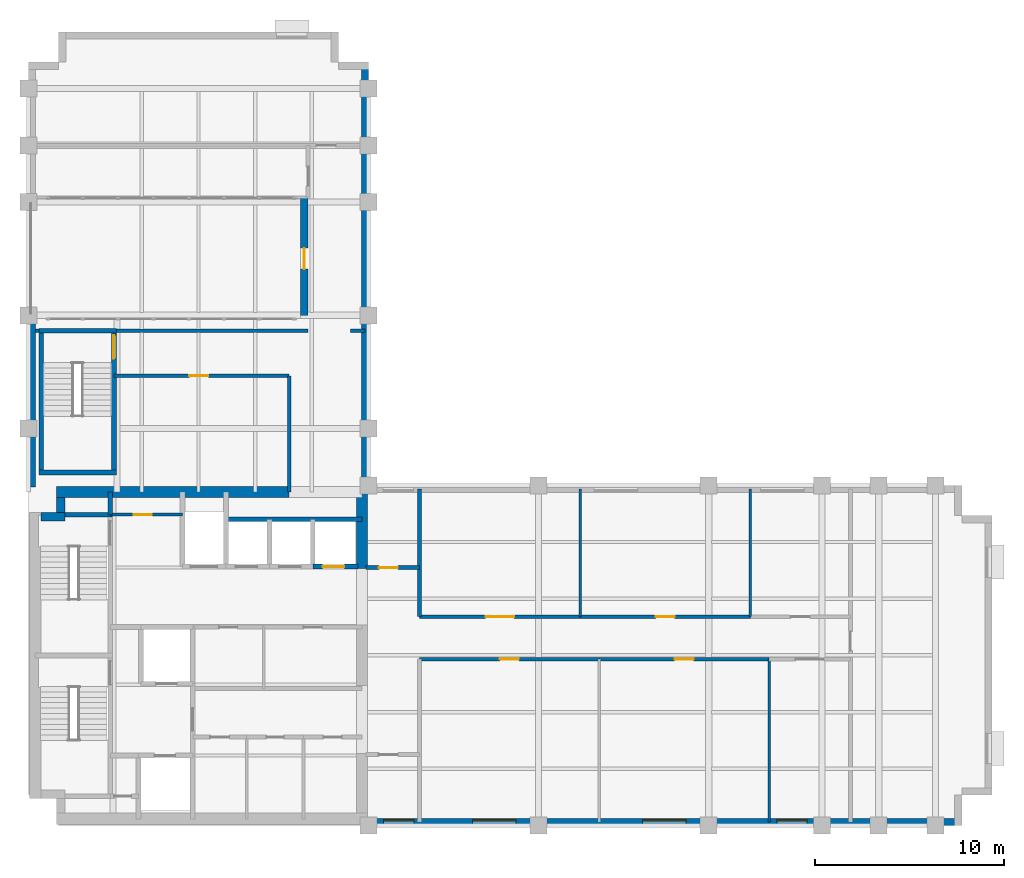
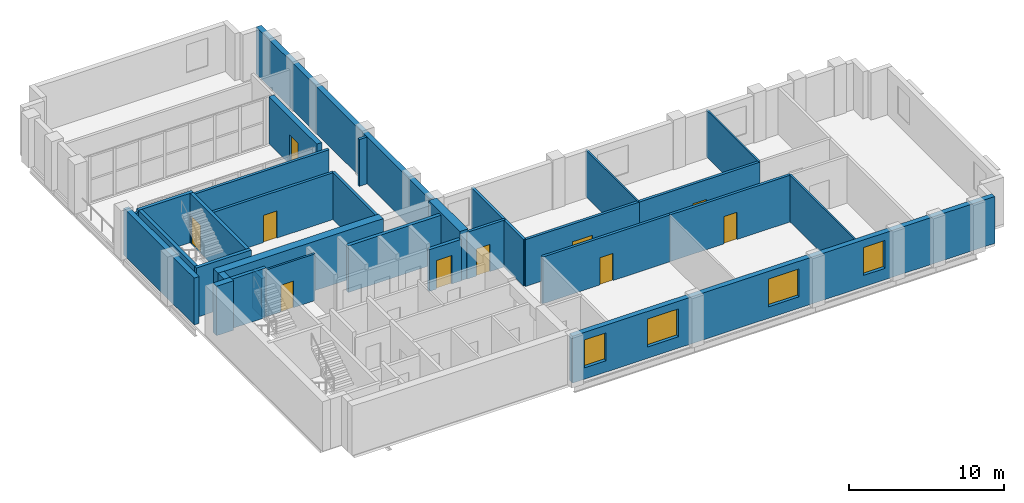
# One storey, part 9 of 11: 31 walls, 10 doors, 4 windows, 14 openings.
"""IFC4 building model written with IfcOpenShell, lengths in metres."""

from ifc_helpers import new_model, si_unit, direction, frame, frame_2d, origin, place, context, subcontext, project, spatial, rectangle, extrude, material, layer, layer_set, type_object, element, fill, save


model = new_model("IFC4")

# Units and contexts
model_context = context("Model", 3, precision=1e-05, world=origin(), true_north=direction((0.0, 1.0)))
body_context = subcontext(model_context, "Body", "Model", "MODEL_VIEW")
ifc_project = project(units=[si_unit("LENGTHUNIT", "METRE"), si_unit("AREAUNIT", "SQUARE_METRE"), si_unit("VOLUMEUNIT", "CUBIC_METRE"), si_unit("PLANEANGLEUNIT", "RADIAN"), si_unit("MASSUNIT", "GRAM", prefix="KILO")], contexts=[model_context])

# Site, building, storey
site_placement = place(None, origin())
site = spatial("IfcSite", under=ifc_project, at=site_placement, CompositionType="ELEMENT")
building_placement = place(site_placement, origin())
building = spatial("IfcBuilding", under=site, at=building_placement, Name="Mawjdan Bourse Tower", CompositionType="ELEMENT")
storey_placement = place(building_placement, frame((0.0, 0.0, 191.699951171875)))
storey = spatial("IfcBuildingStorey", under=building, at=storey_placement, Name="L46", CompositionType="ELEMENT", Elevation=191.699951171875)

# Wall, openings, windows
ifc_material_1 = material(Name="Brick Masonry Terracotta Red", Category="masonry")
ifc_layer_1 = layer(ifc_material_1, 0.3798828125)
ifc_layer_set_1 = layer_set([ifc_layer_1], Name="Brick Masonry Terracotta Red")
wall_type_1 = type_object("IfcWallType", Name="WL-BRK-RED-380", PredefinedType="STANDARD", material=ifc_layer_set_1)
wall_1_placement = place(storey_placement, frame((23.89990234375, 3.18994140625, 0.0), z_axis=(0.0, 0.0, 1.0), x_axis=(1.0, 0.0, 0.0)))
wall_1 = element("IfcWall", 1, at=wall_1_placement, inside=storey, type_object=wall_type_1, Name="L46 Exterior Brick Wall 1", PredefinedType="STANDARD", context=body_context, shape_type="SweptSolid", body=[
    extrude(rectangle(XDim=31.5, YDim=0.3798828125, at=frame_2d((15.75, 0.0))), origin(), (0.0, 0.0, 1.0), 3.699951171875),
])
opening_1_placement = place(wall_1_placement, frame((5.60009765625, 0.0, 0.89990234375)))
opening_1 = element("IfcOpeningElement", 2, at=opening_1_placement, cuts=wall_1, Name="Opening W-L46-01", PredefinedType="OPENING", context=body_context, shape_type="SweptSolid", body=[
    extrude(rectangle(XDim=2.300048828125, YDim=2.199951171875, at=frame_2d((1.14990234375, 1.10009765625))), frame((0.0, 0.199951171875, 0.0), z_axis=(0.0, -1.0, 0.0), x_axis=(1.0, 0.0, 0.0)), (0.0, 0.0, 1.0), 0.39990234375),
])
opening_2_placement = place(wall_1_placement, frame((14.60009765625, 0.0, 0.89990234375)))
opening_2 = element("IfcOpeningElement", 3, at=opening_2_placement, cuts=wall_1, Name="Opening W-L46-02", PredefinedType="OPENING", context=body_context, shape_type="SweptSolid", body=[
    extrude(rectangle(XDim=2.300048828125, YDim=2.199951171875, at=frame_2d((1.14990234375, 1.10009765625))), frame((0.0, 0.199951171875, 0.0), z_axis=(0.0, -1.0, 0.0), x_axis=(1.0, 0.0, 0.0)), (0.0, 0.0, 1.0), 0.39990234375),
])
opening_3_placement = place(wall_1_placement, frame((0.89990234375, 0.0, 0.89990234375)))
opening_3 = element("IfcOpeningElement", 4, at=opening_3_placement, cuts=wall_1, Name="Opening W-L46-07", PredefinedType="OPENING", context=body_context, shape_type="SweptSolid", body=[
    extrude(rectangle(XDim=1.60009765625, YDim=2.199951171875, at=frame_2d((0.800048828125, 1.10009765625))), frame((0.0, 0.199951171875, 0.0), z_axis=(0.0, -1.0, 0.0), x_axis=(1.0, 0.0, 0.0)), (0.0, 0.0, 1.0), 0.39990234375),
])
opening_4_placement = place(wall_1_placement, frame((21.704345703125, 0.0, 0.89990234375)))
opening_4 = element("IfcOpeningElement", 5, at=opening_4_placement, cuts=wall_1, Name="Opening W-L46-09", PredefinedType="OPENING", context=body_context, shape_type="SweptSolid", body=[
    extrude(rectangle(XDim=1.60009765625, YDim=2.199951171875, at=frame_2d((0.800048828125, 1.10009765625))), frame((0.0, 0.199951171875, 0.0), z_axis=(0.0, -1.0, 0.0), x_axis=(1.0, 0.0, 0.0)), (0.0, 0.0, 1.0), 0.39990234375),
])
ifc_material_2 = material(Name="Solar-Control Clear Double Glazing", Category="glass")
window_type_1 = type_object("IfcWindowType", Name="WN-Z3-1600", PartitioningType="SINGLE_PANEL", PredefinedType="WINDOW", material=ifc_material_2)
window_1_placement = place(opening_3_placement, origin())
window_1 = element("IfcWindow", 6, at=window_1_placement, inside=storey, type_object=window_type_1, Name="L46 Deep-Set Masonry Window W-L46-07", OverallHeight=2.199951171875, OverallWidth=1.60009765625, PartitioningType="SINGLE_PANEL", PredefinedType="WINDOW", context=body_context, shape_type="SweptSolid", body=[
    extrude(rectangle(XDim=1.60009765625, YDim=2.199951171875, at=frame_2d((0.800048828125, 1.10009765625))), frame((0.0, 0.110107421875, 0.0), z_axis=(0.0, -1.0, 0.0), x_axis=(1.0, 0.0, 0.0)), (0.0, 0.0, 1.0), 0.06005859375),
])
fill(opening_3, window_1)
window_2_placement = place(opening_4_placement, origin())
window_2 = element("IfcWindow", 7, at=window_2_placement, inside=storey, type_object=window_type_1, Name="L46 Deep-Set Masonry Window W-L46-09", OverallHeight=2.199951171875, OverallWidth=1.60009765625, PartitioningType="SINGLE_PANEL", PredefinedType="WINDOW", context=body_context, shape_type="SweptSolid", body=[
    extrude(rectangle(XDim=1.60009765625, YDim=2.199951171875, at=frame_2d((0.800048828125, 1.10009765625))), frame((0.0, 0.110107421875, 0.0), z_axis=(0.0, -1.0, 0.0), x_axis=(1.0, 0.0, 0.0)), (0.0, 0.0, 1.0), 0.06005859375),
])
fill(opening_4, window_2)
window_type_2 = type_object("IfcWindowType", Name="WN-Z3-2300", PartitioningType="SINGLE_PANEL", PredefinedType="WINDOW", material=ifc_material_2)
window_3_placement = place(opening_1_placement, origin())
window_3 = element("IfcWindow", 8, at=window_3_placement, inside=storey, type_object=window_type_2, Name="L46 Deep-Set Masonry Window W-L46-01", OverallHeight=2.199951171875, OverallWidth=2.300048828125, PartitioningType="SINGLE_PANEL", PredefinedType="WINDOW", context=body_context, shape_type="SweptSolid", body=[
    extrude(rectangle(XDim=2.300048828125, YDim=2.199951171875, at=frame_2d((1.14990234375, 1.10009765625))), frame((0.0, 0.110107421875, 0.0), z_axis=(0.0, -1.0, 0.0), x_axis=(1.0, 0.0, 0.0)), (0.0, 0.0, 1.0), 0.06005859375),
])
fill(opening_1, window_3)
window_4_placement = place(opening_2_placement, origin())
window_4 = element("IfcWindow", 9, at=window_4_placement, inside=storey, type_object=window_type_2, Name="L46 Deep-Set Masonry Window W-L46-02", OverallHeight=2.199951171875, OverallWidth=2.300048828125, PartitioningType="SINGLE_PANEL", PredefinedType="WINDOW", context=body_context, shape_type="SweptSolid", body=[
    extrude(rectangle(XDim=2.300048828125, YDim=2.199951171875, at=frame_2d((1.14990234375, 1.10009765625))), frame((0.0, 0.110107421875, 0.0), z_axis=(0.0, -1.0, 0.0), x_axis=(1.0, 0.0, 0.0)), (0.0, 0.0, 1.0), 0.06005859375),
])
fill(opening_2, window_4)

# Wall
wall_2_placement = place(storey_placement, frame((23.81005859375, 21.0, 0.0), z_axis=(0.0, 0.0, 1.0), x_axis=(0.0, 1.0, 0.0)))
element("IfcWall", 10, at=wall_2_placement, inside=storey, type_object=wall_type_1, Name="L46 Exterior Brick Wall 8", PredefinedType="STANDARD", context=body_context, shape_type="SweptSolid", body=[
    extrude(rectangle(XDim=22.39990234375, YDim=0.3798828125, at=frame_2d((11.199951171875, 0.0))), origin(), (0.0, 0.0, 1.0), 3.699951171875),
])

# Wall, opening, door
wall_3_placement = place(storey_placement, frame((20.590087890625, 36.199951171875, 0.0), z_axis=(0.0, 0.0, 1.0), x_axis=(0.0, -1.0, 0.0)))
wall_3 = element("IfcWall", 11, at=wall_3_placement, inside=storey, type_object=wall_type_1, Name="L46 Exterior Brick Wall 16", PredefinedType="STANDARD", context=body_context, shape_type="SweptSolid", body=[
    extrude(rectangle(XDim=6.199951171875, YDim=0.3798828125, at=frame_2d((3.10009765625, 0.0))), origin(), (0.0, 0.0, 1.0), 3.699951171875),
])
opening_5_placement = place(wall_3_placement, frame((2.64990234375, 0.0, 0.0)))
opening_5 = element("IfcOpeningElement", 12, at=opening_5_placement, cuts=wall_3, Name="Opening TD-L46-01", PredefinedType="OPENING", context=body_context, shape_type="SweptSolid", body=[
    extrude(rectangle(XDim=1.10009765625, YDim=2.300048828125, at=frame_2d((0.550048828125, 1.14990234375))), frame((0.0, 0.199951171875, 0.0), z_axis=(0.0, -1.0, 0.0), x_axis=(1.0, 0.0, 0.0)), (0.0, 0.0, 1.0), 0.39990234375),
])
ifc_material_3 = material(Name="Thermally Broken Glazed Aluminium", Category="aluminium")
door_type_1 = type_object("IfcDoorType", Name="DR-TER-1100", OperationType="NOTDEFINED", PredefinedType="DOOR", material=ifc_material_3)
door_1_placement = place(opening_5_placement, frame((1.10009765625, 0.0, 0.0), z_axis=(0.0, 0.0, 1.0), x_axis=(-1.0, 0.0, 0.0)))
door_1 = element("IfcDoor", 13, at=door_1_placement, inside=storey, type_object=door_type_1, Name="L46 North Void Portal Sky Deck Door", OperationType="SINGLE_SWING_LEFT", OverallHeight=2.300048828125, OverallWidth=1.10009765625, PredefinedType="DOOR", context=body_context, shape_type="SweptSolid", body=[
    extrude(rectangle(XDim=1.10009765625, YDim=2.300048828125, at=frame_2d((0.550048828125, 1.14990234375))), frame((0.0, 0.02490234375, 0.0), z_axis=(0.0, -1.0, 0.0), x_axis=(1.0, 0.0, 0.0)), (0.0, 0.0, 1.0), 0.050048828125),
])
fill(opening_5, door_1)

# Wall
wall_4_placement = place(storey_placement, frame((6.18994140625, 30.0, 0.0), z_axis=(0.0, 0.0, 1.0), x_axis=(0.0, -1.0, 0.0)))
element("IfcWall", 14, at=wall_4_placement, inside=storey, type_object=wall_type_1, Name="L46 Exterior Brick Wall 18", PredefinedType="STANDARD", context=body_context, shape_type="SweptSolid", body=[
    extrude(rectangle(XDim=9.10009765625, YDim=0.3798828125, at=frame_2d((4.550048828125, 0.0))), origin(), (0.0, 0.0, 1.0), 3.699951171875),
])

# Wall, opening, door
ifc_material_4 = material(Name="Gypsum Fireboard Assembly")
ifc_layer_2 = layer(ifc_material_4, 0.199951171875)
ifc_layer_set_2 = layer_set([ifc_layer_2], Name="Gypsum Fireboard Assembly")
wall_type_2 = type_object("IfcWallType", Name="WL-CMP-200", PredefinedType="PARTITIONING", material=ifc_layer_set_2)
wall_5_placement = place(storey_placement, frame((23.85009765625, 16.64990234375, 0.0), z_axis=(0.0, 0.0, 1.0), x_axis=(1.0, 0.0, 0.0)))
wall_5 = element("IfcWall", 15, at=wall_5_placement, inside=storey, type_object=wall_type_2, Name="L46 West North Pocket Wall", PredefinedType="PARTITIONING", context=body_context, shape_type="SweptSolid", body=[
    extrude(rectangle(XDim=2.849853515625, YDim=0.199951171875, at=frame_2d((1.4248046875, 0.0))), origin(), (0.0, 0.0, 1.0), 3.68994140625),
])
opening_6_placement = place(wall_5_placement, frame((0.699951171875, 0.0, 0.0)))
opening_6 = element("IfcOpeningElement", 16, at=opening_6_placement, cuts=wall_5, Name="Opening D-L46-21", PredefinedType="OPENING", context=body_context, shape_type="SweptSolid", body=[
    extrude(rectangle(XDim=1.0, YDim=2.14990234375, at=frame_2d((0.5, 1.074951171875))), frame((0.0, 0.10986328125, 0.0), z_axis=(0.0, -1.0, 0.0), x_axis=(1.0, 0.0, 0.0)), (0.0, 0.0, 1.0), 0.219970703125),
])
ifc_material_5 = material(Name="Hardwood Acoustic Leaf", Category="wood")
door_type_2 = type_object("IfcDoorType", Name="DR-OFC-1000", OperationType="NOTDEFINED", PredefinedType="DOOR", material=ifc_material_5)
door_2_placement = place(opening_6_placement, origin())
door_2 = element("IfcDoor", 17, at=door_2_placement, inside=storey, type_object=door_type_2, Name="L46 West North Pocket Door D-L46-21", OperationType="SINGLE_SWING_LEFT", OverallHeight=2.14990234375, OverallWidth=1.0, PredefinedType="DOOR", context=body_context, shape_type="SweptSolid", body=[
    extrude(rectangle(XDim=1.0, YDim=2.14990234375, at=frame_2d((0.5, 1.074951171875))), frame((0.0, 0.02490234375, 0.0), z_axis=(0.0, -1.0, 0.0), x_axis=(1.0, 0.0, 0.0)), (0.0, 0.0, 1.0), 0.050048828125),
])
fill(opening_6, door_2)

# Wall
wall_6_placement = place(storey_placement, frame((26.699951171875, 14.050048828125, 0.0), z_axis=(0.0, 0.0, 1.0), x_axis=(0.0, 1.0, 0.0)))
element("IfcWall", 18, at=wall_6_placement, inside=storey, type_object=wall_type_2, Name="L46 Vestibule North East Wall", PredefinedType="PARTITIONING", context=body_context, shape_type="SweptSolid", body=[
    extrude(rectangle(XDim=6.77001953125, YDim=0.199951171875, at=frame_2d((3.385009765625, 0.0))), origin(), (0.0, 0.0, 1.0), 3.68994140625),
])

# Wall, opening, door
wall_7_placement = place(storey_placement, frame((26.699951171875, 11.800048828125, 0.0), z_axis=(0.0, 0.0, 1.0), x_axis=(1.0, 0.0, 0.0)))
wall_7 = element("IfcWall", 19, at=wall_7_placement, inside=storey, type_object=wall_type_2, Name="L46 North Portal Observatory Lounge Corridor Wall", PredefinedType="PARTITIONING", context=body_context, shape_type="SweptSolid", body=[
    extrude(rectangle(XDim=9.5, YDim=0.199951171875, at=frame_2d((4.75, 0.0))), origin(), (0.0, 0.0, 1.0), 3.68994140625),
])
opening_7_placement = place(wall_7_placement, frame((4.25, 0.0, 0.0)))
opening_7 = element("IfcOpeningElement", 20, at=opening_7_placement, cuts=wall_7, Name="Opening D-L46-22", PredefinedType="OPENING", context=body_context, shape_type="SweptSolid", body=[
    extrude(rectangle(XDim=1.0, YDim=2.14990234375, at=frame_2d((0.5, 1.074951171875))), frame((0.0, 0.10986328125, 0.0), z_axis=(0.0, -1.0, 0.0), x_axis=(1.0, 0.0, 0.0)), (0.0, 0.0, 1.0), 0.219970703125),
])
door_3_placement = place(opening_7_placement, origin())
door_3 = element("IfcDoor", 21, at=door_3_placement, inside=storey, type_object=door_type_2, Name="L46 North Portal Observatory Lounge Door D-L46-22", OperationType="SINGLE_SWING_RIGHT", OverallHeight=2.14990234375, OverallWidth=1.0, PredefinedType="DOOR", context=body_context, shape_type="SweptSolid", body=[
    extrude(rectangle(XDim=1.0, YDim=2.14990234375, at=frame_2d((0.5, 1.074951171875))), frame((0.0, 0.02490234375, 0.0), z_axis=(0.0, -1.0, 0.0), x_axis=(1.0, 0.0, 0.0)), (0.0, 0.0, 1.0), 0.050048828125),
])
fill(opening_7, door_3)

wall_8_placement = place(storey_placement, frame((36.199951171875, 11.800048828125, 0.0), z_axis=(0.0, 0.0, 1.0), x_axis=(1.0, 0.0, 0.0)))
wall_8 = element("IfcWall", 22, at=wall_8_placement, inside=storey, type_object=wall_type_2, Name="L46 Executive Office Corridor Wall", PredefinedType="PARTITIONING", context=body_context, shape_type="SweptSolid", body=[
    extrude(rectangle(XDim=9.0, YDim=0.199951171875, at=frame_2d((4.5, 0.0))), origin(), (0.0, 0.0, 1.0), 3.68994140625),
])
opening_8_placement = place(wall_8_placement, frame((4.0, 0.0, 0.0)))
opening_8 = element("IfcOpeningElement", 23, at=opening_8_placement, cuts=wall_8, Name="Opening D-L46-23", PredefinedType="OPENING", context=body_context, shape_type="SweptSolid", body=[
    extrude(rectangle(XDim=1.0, YDim=2.14990234375, at=frame_2d((0.5, 1.074951171875))), frame((0.0, 0.10986328125, 0.0), z_axis=(0.0, -1.0, 0.0), x_axis=(1.0, 0.0, 0.0)), (0.0, 0.0, 1.0), 0.219970703125),
])
door_4_placement = place(opening_8_placement, origin())
door_4 = element("IfcDoor", 24, at=door_4_placement, inside=storey, type_object=door_type_2, Name="L46 Executive Office Door D-L46-23", OperationType="SINGLE_SWING_LEFT", OverallHeight=2.14990234375, OverallWidth=1.0, PredefinedType="DOOR", context=body_context, shape_type="SweptSolid", body=[
    extrude(rectangle(XDim=1.0, YDim=2.14990234375, at=frame_2d((0.5, 1.074951171875))), frame((0.0, 0.02490234375, 0.0), z_axis=(0.0, -1.0, 0.0), x_axis=(1.0, 0.0, 0.0)), (0.0, 0.0, 1.0), 0.050048828125),
])
fill(opening_8, door_4)

wall_9_placement = place(storey_placement, frame((26.699951171875, 14.050048828125, 0.0), z_axis=(0.0, 0.0, 1.0), x_axis=(1.0, 0.0, 0.0)))
wall_9 = element("IfcWall", 25, at=wall_9_placement, inside=storey, type_object=wall_type_2, Name="L46 Conference Room Corridor Wall", PredefinedType="PARTITIONING", context=body_context, shape_type="SweptSolid", body=[
    extrude(rectangle(XDim=8.5, YDim=0.199951171875, at=frame_2d((4.25, 0.0))), origin(), (0.0, 0.0, 1.0), 3.68994140625),
])
opening_9_placement = place(wall_9_placement, frame((3.5, 0.0, 0.0)))
opening_9 = element("IfcOpeningElement", 26, at=opening_9_placement, cuts=wall_9, Name="Opening D-L46-25", PredefinedType="OPENING", context=body_context, shape_type="SweptSolid", body=[
    extrude(rectangle(XDim=1.5, YDim=2.300048828125, at=frame_2d((0.75, 1.14990234375))), frame((0.0, 0.10986328125, 0.0), z_axis=(0.0, -1.0, 0.0), x_axis=(1.0, 0.0, 0.0)), (0.0, 0.0, 1.0), 0.219970703125),
])
ifc_material_6 = material(Name="Acoustic Glazed Timber", Category="wood")
door_type_3 = type_object("IfcDoorType", Name="DR-CNF-1500", OperationType="DOUBLE_DOOR_SINGLE_SWING", PredefinedType="DOOR", material=ifc_material_6)
door_5_placement = place(opening_9_placement, origin())
door_5 = element("IfcDoor", 27, at=door_5_placement, inside=storey, type_object=door_type_3, Name="L46 Conference Room Door D-L46-25", OperationType="DOUBLE_DOOR_SINGLE_SWING", OverallHeight=2.300048828125, OverallWidth=1.5, PredefinedType="DOOR", context=body_context, shape_type="SweptSolid", body=[
    extrude(rectangle(XDim=1.5, YDim=2.300048828125, at=frame_2d((0.75, 1.14990234375))), frame((0.0, 0.02490234375, 0.0), z_axis=(0.0, -1.0, 0.0), x_axis=(1.0, 0.0, 0.0)), (0.0, 0.0, 1.0), 0.050048828125),
])
fill(opening_9, door_5)

wall_10_placement = place(storey_placement, frame((35.199951171875, 14.050048828125, 0.0), z_axis=(0.0, 0.0, 1.0), x_axis=(1.0, 0.0, 0.0)))
wall_10 = element("IfcWall", 28, at=wall_10_placement, inside=storey, type_object=wall_type_2, Name="L46 Sovereign Advisory Suite Corridor Wall", PredefinedType="PARTITIONING", context=body_context, shape_type="SweptSolid", body=[
    extrude(rectangle(XDim=9.0, YDim=0.199951171875, at=frame_2d((4.5, 0.0))), origin(), (0.0, 0.0, 1.0), 3.68994140625),
])
opening_10_placement = place(wall_10_placement, frame((4.0, 0.0, 0.0)))
opening_10 = element("IfcOpeningElement", 29, at=opening_10_placement, cuts=wall_10, Name="Opening D-L46-26", PredefinedType="OPENING", context=body_context, shape_type="SweptSolid", body=[
    extrude(rectangle(XDim=1.0, YDim=2.14990234375, at=frame_2d((0.5, 1.074951171875))), frame((0.0, 0.10986328125, 0.0), z_axis=(0.0, -1.0, 0.0), x_axis=(1.0, 0.0, 0.0)), (0.0, 0.0, 1.0), 0.219970703125),
])
door_6_placement = place(opening_10_placement, origin())
door_6 = element("IfcDoor", 30, at=door_6_placement, inside=storey, type_object=door_type_2, Name="L46 Sovereign Advisory Suite Door D-L46-26", OperationType="SINGLE_SWING_RIGHT", OverallHeight=2.14990234375, OverallWidth=1.0, PredefinedType="DOOR", context=body_context, shape_type="SweptSolid", body=[
    extrude(rectangle(XDim=1.0, YDim=2.14990234375, at=frame_2d((0.5, 1.074951171875))), frame((0.0, 0.02490234375, 0.0), z_axis=(0.0, -1.0, 0.0), x_axis=(1.0, 0.0, 0.0)), (0.0, 0.0, 1.0), 0.050048828125),
])
fill(opening_10, door_6)

wall_11_placement = place(storey_placement, frame((10.52001953125, 26.800048828125, 0.0), z_axis=(0.0, 0.0, 1.0), x_axis=(1.0, 0.0, 0.0)))
wall_11 = element("IfcWall", 31, at=wall_11_placement, inside=storey, type_object=wall_type_2, Name="L46 North Throat North Wall", PredefinedType="PARTITIONING", context=body_context, shape_type="SweptSolid", body=[
    extrude(rectangle(XDim=9.280029296875, YDim=0.199951171875, at=frame_2d((4.64013671875, 0.0))), origin(), (0.0, 0.0, 1.0), 3.68994140625),
])
opening_11_placement = place(wall_11_placement, frame((4.0, 0.0, 0.0)))
opening_11 = element("IfcOpeningElement", 32, at=opening_11_placement, cuts=wall_11, Name="Opening D-L46-29", PredefinedType="OPENING", context=body_context, shape_type="SweptSolid", body=[
    extrude(rectangle(XDim=1.0, YDim=2.14990234375, at=frame_2d((0.5, 1.074951171875))), frame((0.0, 0.10986328125, 0.0), z_axis=(0.0, -1.0, 0.0), x_axis=(1.0, 0.0, 0.0)), (0.0, 0.0, 1.0), 0.219970703125),
])
door_7_placement = place(opening_11_placement, origin())
door_7 = element("IfcDoor", 33, at=door_7_placement, inside=storey, type_object=door_type_2, Name="L46 North Throat Suite Door D-L46-29", OperationType="SINGLE_SWING_LEFT", OverallHeight=2.14990234375, OverallWidth=1.0, PredefinedType="DOOR", context=body_context, shape_type="SweptSolid", body=[
    extrude(rectangle(XDim=1.0, YDim=2.14990234375, at=frame_2d((0.5, 1.074951171875))), frame((0.0, 0.02490234375, 0.0), z_axis=(0.0, -1.0, 0.0), x_axis=(1.0, 0.0, 0.0)), (0.0, 0.0, 1.0), 0.050048828125),
])
fill(opening_11, door_7)

# Walls
wall_12_placement = place(storey_placement, frame((19.800048828125, 20.64990234375, 0.0), z_axis=(0.0, 0.0, 1.0), x_axis=(0.0, 1.0, 0.0)))
element("IfcWall", 34, at=wall_12_placement, inside=storey, type_object=wall_type_2, Name="L46 North Throat East Wall", PredefinedType="PARTITIONING", context=body_context, shape_type="SweptSolid", body=[
    extrude(rectangle(XDim=6.150146484375, YDim=0.199951171875, at=frame_2d((3.0751953125, 0.0))), origin(), (0.0, 0.0, 1.0), 3.68994140625),
])
wall_13_placement = place(storey_placement, frame((6.3798828125, 29.179931640625, 0.0), z_axis=(0.0, 0.0, 1.0), x_axis=(1.0, 0.0, 0.0)))
element("IfcWall", 35, at=wall_13_placement, inside=storey, type_object=wall_type_2, Name="L46 North West Band ST3 West Return", PredefinedType="PARTITIONING", context=body_context, shape_type="SweptSolid", body=[
    extrude(rectangle(XDim=0.175048828125, YDim=0.199951171875, at=frame_2d((0.08740234375, 0.0))), origin(), (0.0, 0.0, 1.0), 3.68994140625),
])
wall_14_placement = place(storey_placement, frame((10.6298828125, 29.179931640625, 0.0), z_axis=(0.0, 0.0, 1.0), x_axis=(1.0, 0.0, 0.0)))
element("IfcWall", 36, at=wall_14_placement, inside=storey, type_object=wall_type_2, Name="L46 North West Band South Wall", PredefinedType="PARTITIONING", context=body_context, shape_type="SweptSolid", body=[
    extrude(rectangle(XDim=10.170166015625, YDim=0.199951171875, at=frame_2d((5.0849609375, 0.0))), origin(), (0.0, 0.0, 1.0), 3.68994140625),
])
wall_15_placement = place(storey_placement, frame((23.050048828125, 29.179931640625, 0.0), z_axis=(0.0, 0.0, 1.0), x_axis=(1.0, 0.0, 0.0)))
element("IfcWall", 37, at=wall_15_placement, inside=storey, type_object=wall_type_2, Name="L46 North East Band South Wall", PredefinedType="PARTITIONING", context=body_context, shape_type="SweptSolid", body=[
    extrude(rectangle(XDim=0.77001953125, YDim=0.199951171875, at=frame_2d((0.385009765625, 0.0))), origin(), (0.0, 0.0, 1.0), 3.68994140625),
])
ifc_material_7 = material(Name="Concrete C60/75", Category="concrete")
ifc_layer_3 = layer(ifc_material_7, 0.449951171875)
ifc_layer_set_3 = layer_set([ifc_layer_3], Name="Concrete C60/75")
wall_type_3 = type_object("IfcWallType", Name="WL-CORE-450", PredefinedType="SHEAR", material=ifc_layer_set_3)
wall_16_placement = place(storey_placement, frame((6.64990234375, 19.35009765625, 0.0), z_axis=(0.0, 0.0, 1.0), x_axis=(1.0, 0.0, 0.0)))
element("IfcWall", 38, at=wall_16_placement, inside=storey, type_object=wall_type_3, Name="L46 Rear Core Shear Wall NW-X", PredefinedType="SHEAR", context=body_context, shape_type="SweptSolid", body=[
    extrude(rectangle(XDim=1.275146484375, YDim=0.449951171875, at=frame_2d((0.6376953125, 0.0))), origin(), (0.0, 0.0, 1.0), 3.900146484375),
])
wall_17_placement = place(storey_placement, frame((7.699951171875, 19.574951171875, 0.0), z_axis=(0.0, 0.0, 1.0), x_axis=(0.0, 1.0, 0.0)))
element("IfcWall", 39, at=wall_17_placement, inside=storey, type_object=wall_type_3, Name="L46 Rear Core Shear Wall NW-Y", PredefinedType="SHEAR", context=body_context, shape_type="SweptSolid", body=[
    extrude(rectangle(XDim=0.775146484375, YDim=0.449951171875, at=frame_2d((0.3876953125, 0.0))), origin(), (0.0, 0.0, 1.0), 3.900146484375),
])
ifc_material_8 = material(Name="Concrete C70/85", Category="concrete")
ifc_layer_4 = layer(ifc_material_8, 0.60009765625)
ifc_layer_set_4 = layer_set([ifc_layer_4], Name="Concrete C70/85")
wall_type_4 = type_object("IfcWallType", Name="WL-CORE-600", PredefinedType="SHEAR", material=ifc_layer_set_4)
wall_18_placement = place(storey_placement, frame((7.47509765625, 20.64990234375, 0.0), z_axis=(0.0, 0.0, 1.0), x_axis=(1.0, 0.0, 0.0)))
element("IfcWall", 40, at=wall_18_placement, inside=storey, type_object=wall_type_4, Name="L46 Rear Core Shear Wall N", PredefinedType="SHEAR", context=body_context, shape_type="SweptSolid", body=[
    extrude(rectangle(XDim=12.324951171875, YDim=0.60009765625, at=frame_2d((6.16259765625, 0.0))), origin(), (0.0, 0.0, 1.0), 3.900146484375),
])
wall_19_placement = place(storey_placement, frame((23.64990234375, 16.60009765625, 0.0), z_axis=(0.0, 0.0, 1.0), x_axis=(0.0, 1.0, 0.0)))
element("IfcWall", 41, at=wall_19_placement, inside=storey, type_object=wall_type_4, Name="L46 Rear Core Shear Wall E3", PredefinedType="SHEAR", context=body_context, shape_type="SweptSolid", body=[
    extrude(rectangle(XDim=4.0498046875, YDim=0.60009765625, at=frame_2d((2.02490234375, 0.0))), origin(), (0.0, 0.0, 1.0), 3.900146484375),
])
ifc_material_9 = material(Name="Gypsum Partition")
ifc_layer_5 = layer(ifc_material_9, 0.125)
ifc_layer_set_5 = layer_set([ifc_layer_5], Name="Gypsum Partition")
wall_type_5 = type_object("IfcWallType", Name="WL-PRT-125", PredefinedType="PARTITIONING", material=ifc_layer_set_5)
wall_20_placement = place(storey_placement, frame((45.199951171875, 3.179931640625, 0.0), z_axis=(0.0, 0.0, 1.0), x_axis=(0.0, 1.0, 0.0)))
element("IfcWall", 42, at=wall_20_placement, inside=storey, type_object=wall_type_5, Name="L46 Conference Room Partition", PredefinedType="PARTITIONING", context=body_context, shape_type="SweptSolid", body=[
    extrude(rectangle(XDim=8.6201171875, YDim=0.125, at=frame_2d((4.31005859375, 0.0))), origin(), (0.0, 0.0, 1.0), 3.68994140625),
])
for number, where, z_axis, x_axis, name in (
    (43, (35.199951171875, 14.050048828125, 0.0), (0.0, 0.0, 1.0), (0.0, 1.0, 0.0), "L46 Sovereign Advisory Suite Partition"),
    (44, (44.199951171875, 14.050048828125, 0.0), (0.0, 0.0, 1.0), (0.0, 1.0, 0.0), "L46 Archive Room Partition"),
):
    element("IfcWall", number, at=place(storey_placement, frame(where, z_axis=z_axis, x_axis=x_axis)), inside=storey, type_object=wall_type_5, Name=name, PredefinedType="PARTITIONING", context=body_context, shape_type="SweptSolid", body=[
        extrude(rectangle(XDim=6.77001953125, YDim=0.125, at=frame_2d((3.385009765625, 0.0))), origin(), (0.0, 0.0, 1.0), 3.68994140625),
    ])

# Wall, opening, door
ifc_material_10 = material(Name="Gypsum Acoustic Partition")
ifc_layer_6 = layer(ifc_material_10, 0.14990234375)
ifc_layer_set_6 = layer_set([ifc_layer_6], Name="Gypsum Acoustic Partition")
wall_type_6 = type_object("IfcWallType", Name="WL-PRT-150", PredefinedType="PARTITIONING", material=ifc_layer_set_6)
wall_21_placement = place(storey_placement, frame((10.330078125, 19.449951171875, 0.0), z_axis=(0.0, 0.0, 1.0), x_axis=(1.0, 0.0, 0.0)))
wall_21 = element("IfcWall", 45, at=wall_21_placement, inside=storey, type_object=wall_type_6, Name="L46 Housekeeping South Wall", PredefinedType="PARTITIONING", context=body_context, shape_type="SweptSolid", body=[
    extrude(rectangle(XDim=3.81982421875, YDim=0.14990234375, at=frame_2d((1.909912109375, 0.0))), origin(), (0.0, 0.0, 1.0), 3.68994140625),
])
opening_12_placement = place(wall_21_placement, frame((1.25, 0.0, 0.0)))
opening_12 = element("IfcOpeningElement", 46, at=opening_12_placement, cuts=wall_21, Name="Opening D-L46-18", PredefinedType="OPENING", context=body_context, shape_type="SweptSolid", body=[
    extrude(rectangle(XDim=0.949951171875, YDim=2.10009765625, at=frame_2d((0.47509765625, 1.050048828125))), frame((0.0, 0.0849609375, 0.0), z_axis=(0.0, -1.0, 0.0), x_axis=(1.0, 0.0, 0.0)), (0.0, 0.0, 1.0), 0.169921875),
])
ifc_material_11 = material(Name="Moisture-Resistant Laminate Timber", Category="wood")
door_type_4 = type_object("IfcDoorType", Name="DR-WET-0950", OperationType="NOTDEFINED", PredefinedType="DOOR", material=ifc_material_11)
door_8_placement = place(opening_12_placement, origin())
door_8 = element("IfcDoor", 47, at=door_8_placement, inside=storey, type_object=door_type_4, Name="L46 Housekeeping Closet Door D-L46-18", OperationType="SINGLE_SWING_RIGHT", OverallHeight=2.10009765625, OverallWidth=0.949951171875, PredefinedType="DOOR", context=body_context, shape_type="SweptSolid", body=[
    extrude(rectangle(XDim=0.949951171875, YDim=2.10009765625, at=frame_2d((0.47509765625, 1.050048828125))), frame((0.0, 0.02490234375, 0.0), z_axis=(0.0, -1.0, 0.0), x_axis=(1.0, 0.0, 0.0)), (0.0, 0.0, 1.0), 0.050048828125),
])
fill(opening_12, door_8)

# Wall
ifc_material_12 = material(Name="Concrete C50/60", Category="concrete")
ifc_layer_7 = layer(ifc_material_12, 0.25)
ifc_layer_set_7 = layer_set([ifc_layer_7], Name="Concrete C50/60")
wall_type_7 = type_object("IfcWallType", Name="WL-SHFT-250", PredefinedType="PARTITIONING", material=ifc_layer_set_7)
wall_22_placement = place(storey_placement, frame((10.330078125, 19.449951171875, 0.0), z_axis=(0.0, 0.0, 1.0), x_axis=(0.0, 1.0, 0.0)))
element("IfcWall", 48, at=wall_22_placement, inside=storey, type_object=wall_type_7, Name="L46 NW Riser East Wall", PredefinedType="PARTITIONING", context=body_context, shape_type="SweptSolid", body=[
    extrude(rectangle(XDim=1.199951171875, YDim=0.25, at=frame_2d((0.60009765625, 0.0))), origin(), (0.0, 0.0, 1.0), 3.072998046875),
])

# Wall, opening, door
wall_23_placement = place(storey_placement, frame((21.050048828125, 16.699951171875, 0.0), z_axis=(0.0, 0.0, 1.0), x_axis=(1.0, 0.0, 0.0)))
wall_23 = element("IfcWall", 49, at=wall_23_placement, inside=storey, type_object=wall_type_7, Name="L46 PH-03 Front Wall", PredefinedType="PARTITIONING", context=body_context, shape_type="SweptSolid", body=[
    extrude(rectangle(XDim=2.39990234375, YDim=0.25, at=frame_2d((1.199951171875, 0.0))), origin(), (0.0, 0.0, 1.0), 3.282958984375),
])
opening_13_placement = place(wall_23_placement, frame((0.52001953125, 0.0, 0.0)))
opening_13 = element("IfcOpeningElement", 50, at=opening_13_placement, cuts=wall_23, Name="Opening LD-L46-12", PredefinedType="OPENING", context=body_context, shape_type="SweptSolid", body=[
    extrude(rectangle(XDim=1.14990234375, YDim=2.25, at=frame_2d((0.574951171875, 1.125))), frame((0.0, 0.135009765625, 0.0), z_axis=(0.0, -1.0, 0.0), x_axis=(1.0, 0.0, 0.0)), (0.0, 0.0, 1.0), 0.27001953125),
])
ifc_material_13 = material(Name="Brushed Stainless Steel", Category="steel")
door_type_5 = type_object("IfcDoorType", Name="LD-PAS-1150", OperationType="DOUBLE_DOOR_SLIDING", PredefinedType="DOOR", material=ifc_material_13)
door_9_placement = place(opening_13_placement, origin())
door_9 = element("IfcDoor", 51, at=door_9_placement, inside=storey, type_object=door_type_5, Name="L46 Lift PH-03 Landing Door LD-L46-12", OperationType="DOUBLE_DOOR_SLIDING", OverallHeight=2.25, OverallWidth=1.14990234375, PredefinedType="DOOR", context=body_context, shape_type="SweptSolid", body=[
    extrude(rectangle(XDim=1.14990234375, YDim=2.25, at=frame_2d((0.574951171875, 1.125))), frame((0.0, 0.02490234375, 0.0), z_axis=(0.0, -1.0, 0.0), x_axis=(1.0, 0.0, 0.0)), (0.0, 0.0, 1.0), 0.050048828125),
])
fill(opening_13, door_9)

# Walls
wall_24_placement = place(storey_placement, frame((16.449951171875, 19.199951171875, 0.0), z_axis=(0.0, 0.0, 1.0), x_axis=(1.0, 0.0, 0.0)))
element("IfcWall", 52, at=wall_24_placement, inside=storey, type_object=wall_type_7, Name="L46 PH Bank North Shaft Back Wall", PredefinedType="PARTITIONING", context=body_context, shape_type="SweptSolid", body=[
    extrude(rectangle(XDim=7.199951171875, YDim=0.25, at=frame_2d((3.60009765625, 0.0))), origin(), (0.0, 0.0, 1.0), 3.68994140625),
])
ifc_layer_8 = layer(ifc_material_12, 0.25)
ifc_layer_set_8 = layer_set([ifc_layer_8], Name="Concrete C50/60")
wall_type_8 = type_object("IfcWallType", Name="WL-STRW-250", PredefinedType="SHEAR", material=ifc_layer_set_8)
wall_25_placement = place(storey_placement, frame((7.699951171875, 19.449951171875, 0.0), z_axis=(0.0, 0.0, 1.0), x_axis=(1.0, 0.0, 0.0)))
element("IfcWall", 53, at=wall_25_placement, inside=storey, type_object=wall_type_8, Name="L46 Stairwell ST2 North Shaft Wall", PredefinedType="SHEAR", context=body_context, shape_type="SweptSolid", body=[
    extrude(rectangle(XDim=2.755126953125, YDim=0.25, at=frame_2d((1.37744140625, 0.0))), origin(), (0.0, 0.0, 1.0), 3.900146484375),
])
for number, where, z_axis, x_axis, name in (
    (54, (6.554931640625, 21.679931640625, 0.0), (0.0, 0.0, 1.0), (1.0, 0.0, 0.0), "L46 ST3 South Shaft Wall"),
    (55, (6.554931640625, 29.179931640625, 0.0), (0.0, 0.0, 1.0), (1.0, 0.0, 0.0), "L46 ST3 North Shaft Wall"),
):
    element("IfcWall", number, at=place(storey_placement, frame(where, z_axis=z_axis, x_axis=x_axis)), inside=storey, type_object=wall_type_8, Name=name, PredefinedType="SHEAR", context=body_context, shape_type="SweptSolid", body=[
        extrude(rectangle(XDim=4.090087890625, YDim=0.25, at=frame_2d((2.044921875, 0.0))), origin(), (0.0, 0.0, 1.0), 3.900146484375),
    ])
wall_26_placement = place(storey_placement, frame((6.679931640625, 21.679931640625, 0.0), z_axis=(0.0, 0.0, 1.0), x_axis=(0.0, 1.0, 0.0)))
element("IfcWall", 56, at=wall_26_placement, inside=storey, type_object=wall_type_8, Name="L46 ST3 West Shaft Wall", PredefinedType="SHEAR", context=body_context, shape_type="SweptSolid", body=[
    extrude(rectangle(XDim=7.5, YDim=0.25, at=frame_2d((3.75, 0.0))), origin(), (0.0, 0.0, 1.0), 3.900146484375),
])

# Wall, opening, door
wall_27_placement = place(storey_placement, frame((10.52001953125, 21.679931640625, 0.0), z_axis=(0.0, 0.0, 1.0), x_axis=(0.0, 1.0, 0.0)))
wall_27 = element("IfcWall", 57, at=wall_27_placement, inside=storey, type_object=wall_type_8, Name="L46 ST3 East Shaft Wall", PredefinedType="SHEAR", context=body_context, shape_type="SweptSolid", body=[
    extrude(rectangle(XDim=7.5, YDim=0.25, at=frame_2d((3.75, 0.0))), origin(), (0.0, 0.0, 1.0), 3.900146484375),
])
opening_14_placement = place(wall_27_placement, frame((6.02001953125, 0.0, 0.0)))
opening_14 = element("IfcOpeningElement", 58, at=opening_14_placement, cuts=wall_27, Name="Opening SD-L46-19", PredefinedType="OPENING", context=body_context, shape_type="SweptSolid", body=[
    extrude(rectangle(XDim=1.25, YDim=2.199951171875, at=frame_2d((0.625, 1.10009765625))), frame((0.0, 0.135009765625, 0.0), z_axis=(0.0, -1.0, 0.0), x_axis=(1.0, 0.0, 0.0)), (0.0, 0.0, 1.0), 0.27001953125),
])
ifc_material_14 = material(Name="Fire-Rated Steel Leaf", Category="steel")
door_type_6 = type_object("IfcDoorType", Name="FD-ST-1250", OperationType="NOTDEFINED", PredefinedType="DOOR", material=ifc_material_14)
door_10_placement = place(opening_14_placement, origin())
door_10 = element("IfcDoor", 59, at=door_10_placement, inside=storey, type_object=door_type_6, Name="L46 Stair ST3 Fire Door SD-L46-19", OperationType="SINGLE_SWING_LEFT", OverallHeight=2.199951171875, OverallWidth=1.25, PredefinedType="DOOR", context=body_context, shape_type="SweptSolid", body=[
    extrude(rectangle(XDim=1.25, YDim=2.199951171875, at=frame_2d((0.625, 1.10009765625))), frame((0.0, 0.02490234375, 0.0), z_axis=(0.0, -1.0, 0.0), x_axis=(1.0, 0.0, 0.0)), (0.0, 0.0, 1.0), 0.050048828125),
])
fill(opening_14, door_10)

save(model, "model.ifc")
